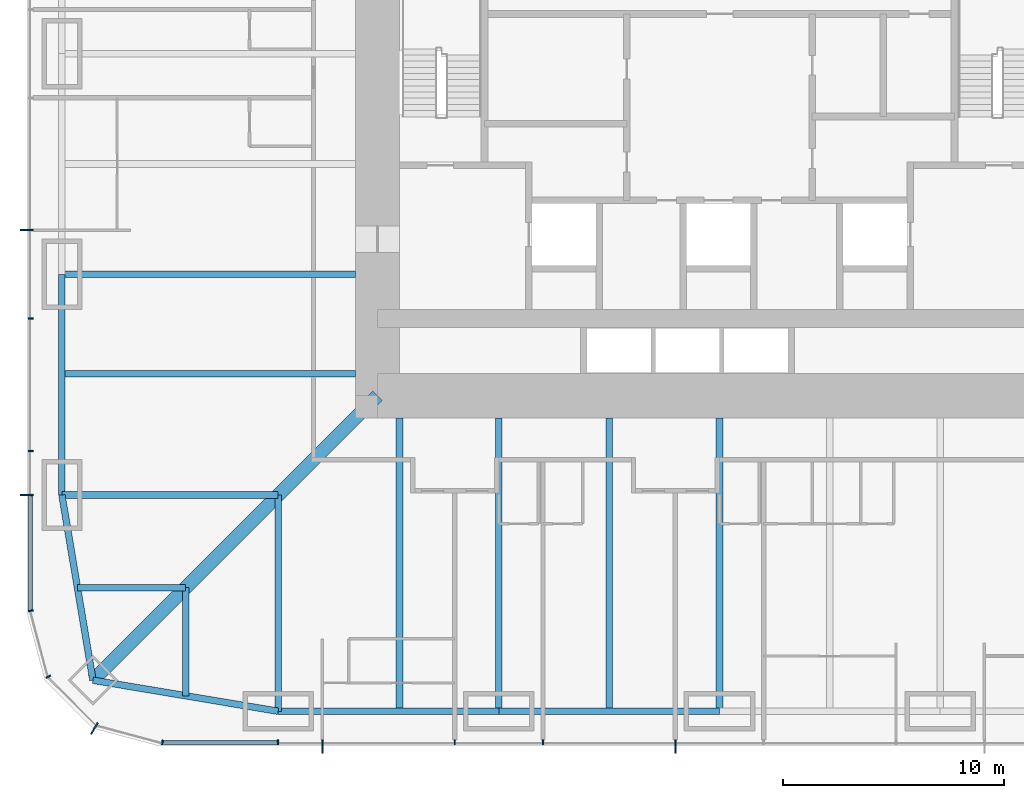
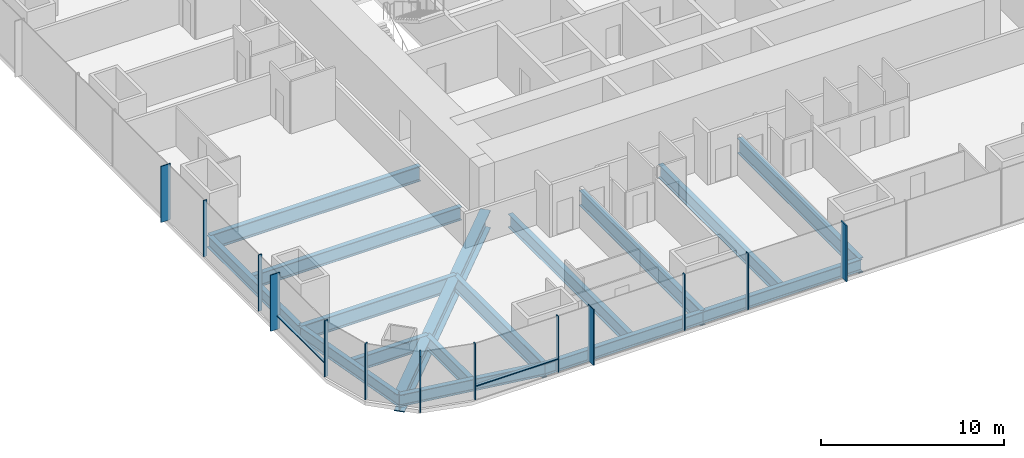
# One storey, part 2 of 16: 16 beams, 15 members, 3 elements without a shape of their own.
"""IFC4 building model written with IfcOpenShell, lengths in metres."""

from ifc_helpers import new_model, si_unit, direction, frame, origin, origin_2d, place, context, subcontext, project, spatial, rectangle, i_section, extrude, material, material_profile, profile_set, type_object, element, aggregate, save


model = new_model("IFC4")

# Units and contexts
model_context = context("Model", 3, precision=1e-05, world=origin(), true_north=direction((0.0, 1.0)))
body_context = subcontext(model_context, "Body", "Model", "MODEL_VIEW")
ifc_project = project(units=[si_unit("LENGTHUNIT", "METRE"), si_unit("AREAUNIT", "SQUARE_METRE"), si_unit("VOLUMEUNIT", "CUBIC_METRE"), si_unit("PLANEANGLEUNIT", "RADIAN"), si_unit("MASSUNIT", "GRAM", prefix="KILO")], contexts=[model_context])

# Site, building, storey
site_placement = place(None, origin())
site = spatial("IfcSite", under=ifc_project, at=site_placement, CompositionType="ELEMENT")
building_placement = place(site_placement, origin())
building = spatial("IfcBuilding", under=site, at=building_placement, Name="Khuree Lantern Residences", CompositionType="ELEMENT")
storey_placement = place(building_placement, frame((0.0, 0.0, 66.0)))
storey = spatial("IfcBuildingStorey", under=building, at=storey_placement, Name="L16", CompositionType="ELEMENT", Elevation=66.0)

# Beams
ifc_material_1 = material(Name="Steel S355", Category="steel")
ifc_material_profile_1 = material_profile(ifc_material_1, i_section(OverallWidth=0.300048828125, OverallDepth=0.889892578125, WebThickness=0.01611328125, FlangeThickness=0.030029296875, FilletRadius=0.030029296875, at=origin_2d()), Name="HE 900 A")
ifc_profile_set_1 = profile_set([ifc_material_profile_1], Name="Steel S355")
beam_type_1 = type_object("IfcBeamType", Name="B-14 SECONDARY BEAM HE 900 A", PredefinedType="BEAM", material=ifc_profile_set_1)
for number, where, z_axis, x_axis, name in (
    (1, (-5.0, -29.800048828125, -0.695068359375), (0.0, 1.0, 0.0), (-1.0, 0.0, 0.0), "Secondary beam S4"),
    (2, (-14.5, -29.800048828125, -0.695068359375), (0.0, 1.0, 0.0), (-1.0, 0.0, 0.0), "Secondary beam S5"),
):
    element("IfcBeam", number, at=place(storey_placement, frame(where, z_axis=z_axis, x_axis=x_axis)), inside=storey, type_object=beam_type_1, Name=name, PredefinedType="BEAM", context=body_context, shape_type="SweptSolid", body=[
        extrude(i_section(OverallWidth=0.300048828125, OverallDepth=0.889892578125, WebThickness=0.01611328125, FlangeThickness=0.030029296875, FilletRadius=0.030029296875, at=origin_2d()), origin(), (0.0, 0.0, 1.0), 13.300048828125),
    ])
for number, where, z_axis, x_axis, name in (
    (3, (-24.197021484375, -29.09716796875, -0.695068359375), (0.0, 1.0, 0.0), (-1.0, 0.0, 0.0), "Secondary beam S6"),
    (4, (-29.09716796875, -24.197021484375, -0.695068359375), (1.0, 0.0, 0.0), (0.0, 1.0, 0.0), "Secondary beam W1"),
):
    element("IfcBeam", number, at=place(storey_placement, frame(where, z_axis=z_axis, x_axis=x_axis)), inside=storey, type_object=beam_type_1, Name=name, PredefinedType="BEAM", context=body_context, shape_type="SweptSolid", body=[
        extrude(i_section(OverallWidth=0.300048828125, OverallDepth=0.889892578125, WebThickness=0.01611328125, FlangeThickness=0.030029296875, FilletRadius=0.030029296875, at=origin_2d()), origin(), (0.0, 0.0, 1.0), 4.900146484375),
    ])
beam_1_placement = place(storey_placement, frame((-29.800048828125, -14.5, -0.695068359375), z_axis=(1.0, 0.0, 0.0), x_axis=(0.0, 1.0, 0.0)))
element("IfcBeam", 5, at=beam_1_placement, inside=storey, type_object=beam_type_1, Name="Secondary beam W2", PredefinedType="BEAM", context=body_context, shape_type="SweptSolid", body=[
    extrude(i_section(OverallWidth=0.300048828125, OverallDepth=0.889892578125, WebThickness=0.01611328125, FlangeThickness=0.030029296875, FilletRadius=0.030029296875, at=origin_2d()), origin(), (0.0, 0.0, 1.0), 13.300048828125),
])
ifc_material_profile_2 = material_profile(ifc_material_1, i_section(OverallWidth=0.300048828125, OverallDepth=0.7900390625, WebThickness=0.014892578125, FlangeThickness=0.028076171875, FilletRadius=0.030029296875, at=origin_2d()), Name="HE 800 A")
ifc_profile_set_2 = profile_set([ifc_material_profile_2], Name="Steel S355")
beam_type_2 = type_object("IfcBeamType", Name="E-14 SPANDREL BEAM HE 800 A", PredefinedType="SPANDREL", material=ifc_profile_set_2)
for number, where, z_axis, x_axis, name in (
    (6, (0.0, -29.800048828125, -0.64501953125), (-1.0, 0.0, 0.0), (0.0, -1.0, 0.0), "Spandrel beam S4"),
    (7, (-10.0, -29.800048828125, -0.64501953125), (-1.0, 0.0, 0.0), (0.0, -1.0, 0.0), "Spandrel beam S5"),
):
    element("IfcBeam", number, at=place(storey_placement, frame(where, z_axis=z_axis, x_axis=x_axis)), inside=storey, type_object=beam_type_2, Name=name, PredefinedType="SPANDREL", context=body_context, shape_type="SweptSolid", body=[
        extrude(i_section(OverallWidth=0.300048828125, OverallDepth=0.7900390625, WebThickness=0.014892578125, FlangeThickness=0.028076171875, FilletRadius=0.030029296875, at=origin_2d()), origin(), (0.0, 0.0, 1.0), 10.0),
    ])
for number, where, z_axis, x_axis, name in (
    (8, (-20.0, -29.800048828125, -0.64501953125), (-0.986260251158, 0.165199022349, 0.0), (-0.165199022349, -0.986260251158, 0.0), "Spandrel beam S6"),
    (9, (-28.39404296875, -28.39404296875, -0.64501953125), (-0.165199022349, 0.986260251158, 0.0), (-0.986260251158, -0.165199022349, 0.0), "Spandrel beam W1"),
):
    element("IfcBeam", number, at=place(storey_placement, frame(where, z_axis=z_axis, x_axis=x_axis)), inside=storey, type_object=beam_type_2, Name=name, PredefinedType="SPANDREL", context=body_context, shape_type="SweptSolid", body=[
        extrude(i_section(OverallWidth=0.300048828125, OverallDepth=0.7900390625, WebThickness=0.014892578125, FlangeThickness=0.028076171875, FilletRadius=0.030029296875, at=origin_2d()), origin(), (0.0, 0.0, 1.0), 8.510986328125),
    ])
beam_2_placement = place(storey_placement, frame((-29.800048828125, -20.0, -0.64501953125), z_axis=(0.0, 1.0, 0.0), x_axis=(-1.0, 0.0, 0.0)))
element("IfcBeam", 10, at=beam_2_placement, inside=storey, type_object=beam_type_2, Name="Spandrel beam W2", PredefinedType="SPANDREL", context=body_context, shape_type="SweptSolid", body=[
    extrude(i_section(OverallWidth=0.300048828125, OverallDepth=0.7900390625, WebThickness=0.014892578125, FlangeThickness=0.028076171875, FilletRadius=0.030029296875, at=origin_2d()), origin(), (0.0, 0.0, 1.0), 10.0),
])

# Curtain wall, members
ifc_material_2 = material(Name="Bronze anodised aluminium", Category="aluminium")
curtain_wall_type_1 = type_object("IfcCurtainWallType", Name="CW-T1 TOWER FACE CURTAIN WALL", PredefinedType="USERDEFINED", material=ifc_material_2)
curtain_wall_1_placement = place(storey_placement, origin())
curtain_wall_1 = element("IfcCurtainWall", 11, at=curtain_wall_1_placement, inside=storey, type_object=curtain_wall_type_1, Name="L16 WEST FACE CURTAIN WALL", ObjectType="Stick-built curtain wall", PredefinedType="USERDEFINED")
ifc_material_profile_3 = material_profile(ifc_material_2, rectangle(XDim=0.06494140625, YDim=0.60009765625, at=origin_2d()), Name="F1 65X600")
ifc_profile_set_3 = profile_set([ifc_material_profile_3], Name="Bronze anodised aluminium")
member_type_1 = type_object("IfcMemberType", Name="F1 BRONZE FIN MULLION TOWER 65X600", PredefinedType="MULLION", material=ifc_profile_set_3)
member_1_placement = place(storey_placement, frame((-31.39990234375, -8.0, 0.0), z_axis=(0.0, 0.0, 1.0), x_axis=(0.0, -1.0, 0.0)))
member_1 = element("IfcMember", 12, at=member_1_placement, type_object=member_type_1, Name="L16 WEST FACE FIN MULLION 39", PredefinedType="MULLION", context=body_context, shape_type="SweptSolid", body=[
    extrude(rectangle(XDim=0.06494140625, YDim=0.60009765625, at=origin_2d()), origin(), (0.0, 0.0, 1.0), 3.75),
])
member_2_placement = place(storey_placement, frame((-31.39990234375, -20.0, 0.0), z_axis=(0.0, 0.0, 1.0), x_axis=(0.0, -1.0, 0.0)))
member_2 = element("IfcMember", 13, at=member_2_placement, type_object=member_type_1, Name="L16 WEST FACE FIN MULLION 42", PredefinedType="MULLION", context=body_context, shape_type="SweptSolid", body=[
    extrude(rectangle(XDim=0.06494140625, YDim=0.60009765625, at=origin_2d()), origin(), (0.0, 0.0, 1.0), 3.75),
])

# Curtain wall, member
curtain_wall_type_2 = type_object("IfcCurtainWallType", Name="CW-T2 TOWER CORNER CURTAIN WALL", PredefinedType="USERDEFINED", material=ifc_material_2)
curtain_wall_2_placement = place(storey_placement, origin())
curtain_wall_2 = element("IfcCurtainWall", 14, at=curtain_wall_2_placement, inside=storey, type_object=curtain_wall_type_2, Name="L16 SOUTH-WEST CORNER CURTAIN WALL", ObjectType="Faceted corner curtain wall", PredefinedType="USERDEFINED")
member_3_placement = place(storey_placement, frame((-28.324951171875, -30.576171875, 0.0), z_axis=(0.0, 0.0, 1.0), x_axis=(0.86602537092, -0.500000056923, 0.0)))
member_3 = element("IfcMember", 15, at=member_3_placement, type_object=member_type_1, Name="L16 SOUTH-WEST CORNER FIN MULLION 45", PredefinedType="MULLION", context=body_context, shape_type="SweptSolid", body=[
    extrude(rectangle(XDim=0.06494140625, YDim=0.60009765625, at=origin_2d()), origin(), (0.0, 0.0, 1.0), 3.75),
])

# Curtain wall, members
curtain_wall_3_placement = place(storey_placement, origin())
curtain_wall_3 = element("IfcCurtainWall", 16, at=curtain_wall_3_placement, inside=storey, type_object=curtain_wall_type_1, Name="L16 SOUTH FACE CURTAIN WALL", ObjectType="Stick-built curtain wall", PredefinedType="USERDEFINED")
member_4_placement = place(storey_placement, frame((-18.0, -31.39990234375, 0.0), z_axis=(0.0, 0.0, 1.0), x_axis=(1.0, 0.0, 0.0)))
member_4 = element("IfcMember", 17, at=member_4_placement, type_object=member_type_1, Name="L16 SOUTH FACE FIN MULLION 48", PredefinedType="MULLION", context=body_context, shape_type="SweptSolid", body=[
    extrude(rectangle(XDim=0.06494140625, YDim=0.60009765625, at=origin_2d()), origin(), (0.0, 0.0, 1.0), 3.75),
])
member_5_placement = place(storey_placement, frame((-2.0, -31.39990234375, 0.0), z_axis=(0.0, 0.0, 1.0), x_axis=(1.0, 0.0, 0.0)))
member_5 = element("IfcMember", 18, at=member_5_placement, type_object=member_type_1, Name="L16 SOUTH FACE FIN MULLION 51", PredefinedType="MULLION", context=body_context, shape_type="SweptSolid", body=[
    extrude(rectangle(XDim=0.06494140625, YDim=0.60009765625, at=origin_2d()), origin(), (0.0, 0.0, 1.0), 3.75),
])

# Beams
ifc_material_profile_4 = material_profile(ifc_material_1, i_section(OverallWidth=0.302001953125, OverallDepth=1.008056640625, WebThickness=0.02099609375, FlangeThickness=0.0400390625, FilletRadius=0.030029296875, at=origin_2d()), Name="HE 1000 M")
ifc_profile_set_4 = profile_set([ifc_material_profile_4], Name="Steel S355")
beam_type_3 = type_object("IfcBeamType", Name="G-14 GIRDER HE 1000 M", PredefinedType="BEAM", material=ifc_profile_set_4)
for number, where, z_axis, x_axis, name in (
    (19, (0.0, -29.800048828125, -0.75390625), (0.0, 1.0, 0.0), (-1.0, 0.0, 0.0), "Girder S3"),
    (20, (-10.0, -29.800048828125, -0.75390625), (0.0, 1.0, 0.0), (-1.0, 0.0, 0.0), "Girder S4"),
):
    element("IfcBeam", number, at=place(storey_placement, frame(where, z_axis=z_axis, x_axis=x_axis)), inside=storey, type_object=beam_type_3, Name=name, PredefinedType="BEAM", context=body_context, shape_type="SweptSolid", body=[
        extrude(i_section(OverallWidth=0.302001953125, OverallDepth=1.008056640625, WebThickness=0.02099609375, FlangeThickness=0.0400390625, FilletRadius=0.030029296875, at=origin_2d()), origin(), (0.0, 0.0, 1.0), 13.300048828125),
    ])
for number, where, z_axis, x_axis, name in (
    (21, (-20.0, -29.800048828125, -0.75390625), (0.0, 1.0, 0.0), (-1.0, 0.0, 0.0), "Girder S5"),
    (22, (-29.800048828125, -20.0, -0.75390625), (1.0, 0.0, 0.0), (0.0, 1.0, 0.0), "Girder W1"),
):
    element("IfcBeam", number, at=place(storey_placement, frame(where, z_axis=z_axis, x_axis=x_axis)), inside=storey, type_object=beam_type_3, Name=name, PredefinedType="BEAM", context=body_context, shape_type="SweptSolid", body=[
        extrude(i_section(OverallWidth=0.302001953125, OverallDepth=1.008056640625, WebThickness=0.02099609375, FlangeThickness=0.0400390625, FilletRadius=0.030029296875, at=origin_2d()), origin(), (0.0, 0.0, 1.0), 9.800048828125),
    ])
beam_3_placement = place(storey_placement, frame((-29.800048828125, -10.0, -0.75390625), z_axis=(1.0, 0.0, 0.0), x_axis=(0.0, 1.0, 0.0)))
element("IfcBeam", 23, at=beam_3_placement, inside=storey, type_object=beam_type_3, Name="Girder W2", PredefinedType="BEAM", context=body_context, shape_type="SweptSolid", body=[
    extrude(i_section(OverallWidth=0.302001953125, OverallDepth=1.008056640625, WebThickness=0.02099609375, FlangeThickness=0.0400390625, FilletRadius=0.030029296875, at=origin_2d()), origin(), (0.0, 0.0, 1.0), 13.300048828125),
])
ifc_material_profile_5 = material_profile(ifc_material_1, i_section(OverallWidth=0.60009765625, OverallDepth=1.199951171875, WebThickness=0.030029296875, FlangeThickness=0.06005859375, at=origin_2d()), Name="WELDED I 1200X600X30X60")
ifc_profile_set_5 = profile_set([ifc_material_profile_5], Name="Steel S355")
beam_type_4 = type_object("IfcBeamType", Name="GD-14 CORNER GIRDER WELDED I 1200X600X30X60", PredefinedType="BEAM", material=ifc_profile_set_5)
beam_4_placement = place(storey_placement, frame((-28.39404296875, -28.39404296875, -0.85009765625), z_axis=(0.707106781187, 0.707106781187, 0.0), x_axis=(-0.707106781187, 0.707106781187, 0.0)))
element("IfcBeam", 24, at=beam_4_placement, inside=storey, type_object=beam_type_4, Name="Corner girder SW", PredefinedType="BEAM", context=body_context, shape_type="SweptSolid", body=[
    extrude(i_section(OverallWidth=0.60009765625, OverallDepth=1.199951171875, WebThickness=0.030029296875, FlangeThickness=0.06005859375, at=origin_2d()), origin(), (0.0, 0.0, 1.0), 18.23486328125),
])

# Member
ifc_material_profile_6 = material_profile(ifc_material_2, rectangle(XDim=0.06494140625, YDim=0.219970703125, at=origin_2d()), Name="M1 65X220")
ifc_profile_set_6 = profile_set([ifc_material_profile_6], Name="Bronze anodised aluminium")
member_type_2 = type_object("IfcMemberType", Name="M1 BRONZE MULLION TOWER 65X220", PredefinedType="MULLION", material=ifc_profile_set_6)
member_6_placement = place(storey_placement, frame((-31.2099609375, -12.0, 0.0), z_axis=(0.0, 0.0, 1.0), x_axis=(0.0, -1.0, 0.0)))
member_6 = element("IfcMember", 25, at=member_6_placement, type_object=member_type_2, Name="L16 WEST FACE MULLION 40", PredefinedType="MULLION", context=body_context, shape_type="SweptSolid", body=[
    extrude(rectangle(XDim=0.06494140625, YDim=0.219970703125, at=origin_2d()), origin(), (0.0, 0.0, 1.0), 3.75),
])

member_7_placement = place(storey_placement, frame((-31.2099609375, -18.0, 0.0), z_axis=(0.0, 0.0, 1.0), x_axis=(0.0, -1.0, 0.0)))
member_7 = element("IfcMember", 26, at=member_7_placement, type_object=member_type_2, Name="L16 WEST FACE MULLION 41", PredefinedType="MULLION", context=body_context, shape_type="SweptSolid", body=[
    extrude(rectangle(XDim=0.06494140625, YDim=0.219970703125, at=origin_2d()), origin(), (0.0, 0.0, 1.0), 3.75),
])

member_8_placement = place(storey_placement, frame((-31.211669921875, -25.244873046875, 0.0), z_axis=(0.0, 0.0, 1.0), x_axis=(0.130526257387, -0.991444852794, 0.0)))
member_8 = element("IfcMember", 27, at=member_8_placement, type_object=member_type_2, Name="L16 SOUTH-WEST CORNER MULLION 43", PredefinedType="MULLION", context=body_context, shape_type="SweptSolid", body=[
    extrude(rectangle(XDim=0.06494140625, YDim=0.219970703125, at=origin_2d()), origin(), (0.0, 0.0, 1.0), 3.75),
])

member_9_placement = place(storey_placement, frame((-30.41162109375, -28.22998046875, 0.0), z_axis=(0.0, 0.0, 1.0), x_axis=(0.500000056923, -0.86602537092, 0.0)))
member_9 = element("IfcMember", 28, at=member_9_placement, type_object=member_type_2, Name="L16 SOUTH-WEST CORNER MULLION 44", PredefinedType="MULLION", context=body_context, shape_type="SweptSolid", body=[
    extrude(rectangle(XDim=0.06494140625, YDim=0.219970703125, at=origin_2d()), origin(), (0.0, 0.0, 1.0), 3.75),
])

aggregate(curtain_wall_2, [member_8, member_9, member_3])

member_10_placement = place(storey_placement, frame((-25.244873046875, -31.211669921875, 0.0), z_axis=(0.0, 0.0, 1.0), x_axis=(0.991444852794, -0.130526257387, 0.0)))
member_10 = element("IfcMember", 29, at=member_10_placement, type_object=member_type_2, Name="L16 SOUTH FACE MULLION 46", PredefinedType="MULLION", context=body_context, shape_type="SweptSolid", body=[
    extrude(rectangle(XDim=0.06494140625, YDim=0.219970703125, at=origin_2d()), origin(), (0.0, 0.0, 1.0), 3.75),
])

member_11_placement = place(storey_placement, frame((-20.0, -31.2099609375, 0.0), z_axis=(0.0, 0.0, 1.0), x_axis=(1.0, 0.0, 0.0)))
member_11 = element("IfcMember", 30, at=member_11_placement, type_object=member_type_2, Name="L16 SOUTH FACE MULLION 47", PredefinedType="MULLION", context=body_context, shape_type="SweptSolid", body=[
    extrude(rectangle(XDim=0.06494140625, YDim=0.219970703125, at=origin_2d()), origin(), (0.0, 0.0, 1.0), 3.75),
])

member_12_placement = place(storey_placement, frame((-12.0, -31.2099609375, 0.0), z_axis=(0.0, 0.0, 1.0), x_axis=(1.0, 0.0, 0.0)))
member_12 = element("IfcMember", 31, at=member_12_placement, type_object=member_type_2, Name="L16 SOUTH FACE MULLION 49", PredefinedType="MULLION", context=body_context, shape_type="SweptSolid", body=[
    extrude(rectangle(XDim=0.06494140625, YDim=0.219970703125, at=origin_2d()), origin(), (0.0, 0.0, 1.0), 3.75),
])

member_13_placement = place(storey_placement, frame((-8.0, -31.2099609375, 0.0), z_axis=(0.0, 0.0, 1.0), x_axis=(1.0, 0.0, 0.0)))
member_13 = element("IfcMember", 32, at=member_13_placement, type_object=member_type_2, Name="L16 SOUTH FACE MULLION 50", PredefinedType="MULLION", context=body_context, shape_type="SweptSolid", body=[
    extrude(rectangle(XDim=0.06494140625, YDim=0.219970703125, at=origin_2d()), origin(), (0.0, 0.0, 1.0), 3.75),
])

ifc_material_profile_7 = material_profile(ifc_material_2, rectangle(XDim=0.179931640625, YDim=0.06494140625, at=origin_2d()), Name="T1 180X65")
ifc_profile_set_7 = profile_set([ifc_material_profile_7], Name="Bronze anodised aluminium")
member_type_3 = type_object("IfcMemberType", Name="TRANSOM T1 TOWER 180X65", PredefinedType="USERDEFINED", material=ifc_profile_set_7)
member_14_placement = place(storey_placement, frame((-31.219970703125, -20.032470703125, 0.89990234375), z_axis=(0.0, -1.0, 0.0), x_axis=(1.0, 0.0, 0.0)))
member_14 = element("IfcMember", 33, at=member_14_placement, type_object=member_type_3, Name="L16 WEST FACE TRANSOM 42.1", ObjectType="Transom", PredefinedType="USERDEFINED", context=body_context, shape_type="SweptSolid", body=[
    extrude(rectangle(XDim=0.179931640625, YDim=0.06494140625, at=origin_2d()), origin(), (0.0, 0.0, 1.0), 5.1689453125),
])

aggregate(curtain_wall_1, [member_1, member_6, member_7, member_2, member_14])

member_15_placement = place(storey_placement, frame((-25.201416015625, -31.219970703125, 0.89990234375), z_axis=(1.0, 0.0, 0.0), x_axis=(0.0, 1.0, 0.0)))
member_15 = element("IfcMember", 34, at=member_15_placement, type_object=member_type_3, Name="L16 SOUTH FACE TRANSOM 46.1", ObjectType="Transom", PredefinedType="USERDEFINED", context=body_context, shape_type="SweptSolid", body=[
    extrude(rectangle(XDim=0.179931640625, YDim=0.06494140625, at=origin_2d()), origin(), (0.0, 0.0, 1.0), 5.1689453125),
])

aggregate(curtain_wall_3, [member_10, member_11, member_4, member_12, member_13, member_5, member_15])

save(model, "model.ifc")
